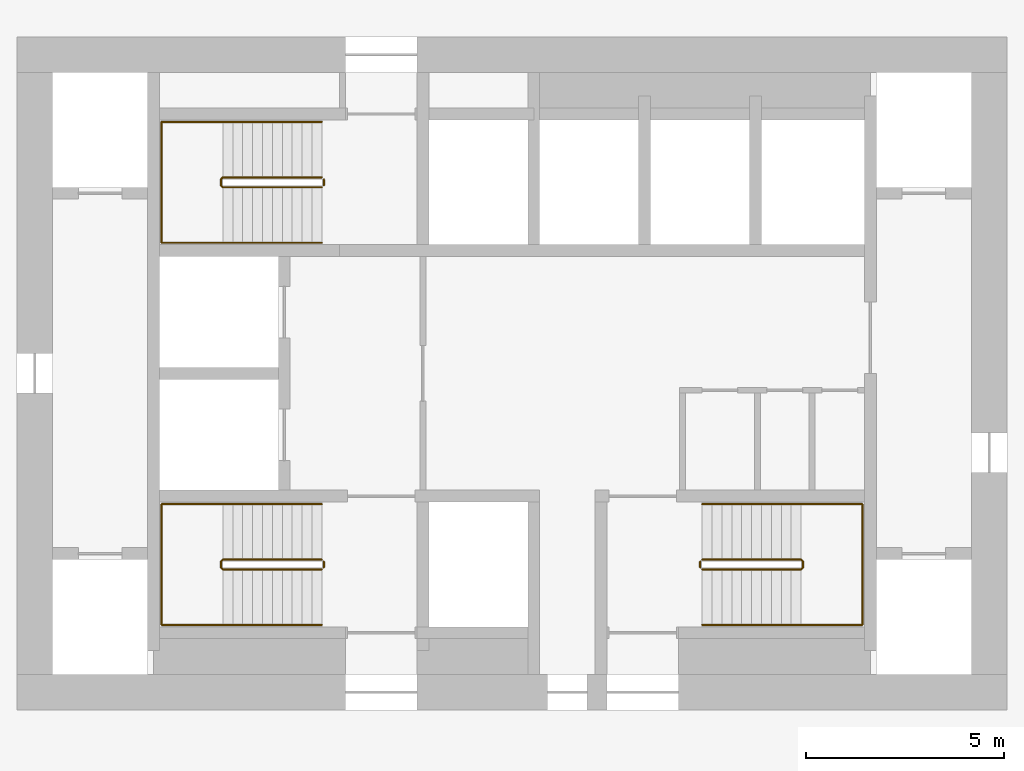
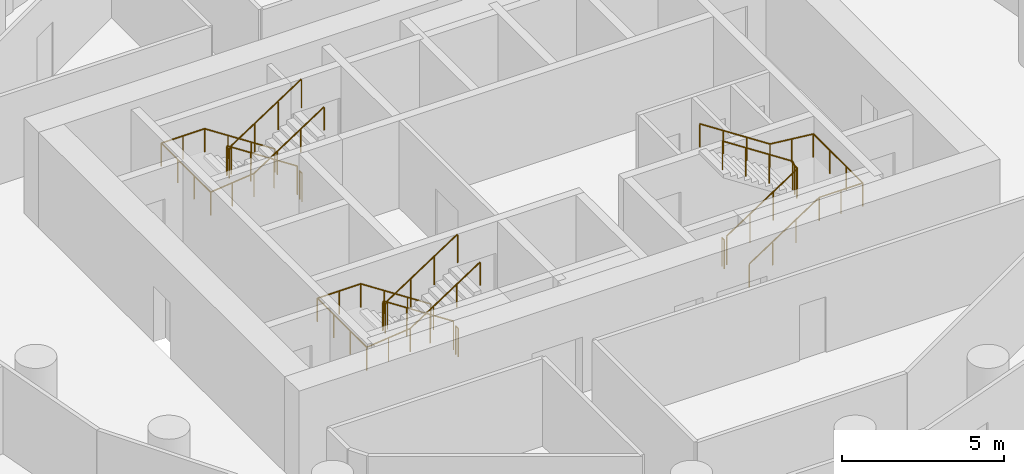
# One storey, part 9 of 9: 9 railings.
"""IFC4 building model written with IfcOpenShell, lengths in metres."""

import ifcopenshell
import ifcopenshell.guid

model = None  # the IFC model being written
_history = None  # IfcOwnerHistory: only IFC2X3 demands one
_inside = {}  # id of a spatial element -> (the spatial element, [elements in it])
_under = {}  # id of a project, library or spatial element -> (it, [spatial elements below it])
_declared = {}  # id of a project -> (the project, [libraries it declares])
_typed = {}  # id of a type object -> (the type object, [elements of that type])
_made_of = {}  # id of a material, layer set ... -> (it, [elements and type objects made of it])


def new_model(schema):
    """Start an empty IFC model of exactly this schema.

    Asked for "IFC4X3", IfcOpenShell would pick the latest addendum, in which some entities
    have other attributes; the version numbers below select the first issue.
    IFC2X3 requires an IfcOwnerHistory on every rooted entity: one is made here for all.
    """
    global model, _history
    if schema == "IFC4X3":
        model = ifcopenshell.file(schema_version=(4, 3, 0, 0))
    else:
        model = ifcopenshell.file(schema=schema)
    _inside.clear()
    _under.clear()
    _declared.clear()
    _typed.clear()
    _made_of.clear()
    _history = None
    if model.schema == "IFC2X3":
        org = make("IfcOrganization", Name="unknown")
        user = make(
            "IfcPersonAndOrganization",
            ThePerson=make("IfcPerson", FamilyName="unknown"),
            TheOrganization=org,
        )
        app = make(
            "IfcApplication",
            ApplicationDeveloper=org,
            Version="unknown",
            ApplicationFullName="unknown",
            ApplicationIdentifier="unknown",
        )
        _history = make(
            "IfcOwnerHistory",
            OwningUser=user,
            OwningApplication=app,
            ChangeAction="ADDED",
            CreationDate=0,
        )
    return model


def make(cls, **values):
    """One entity of the class cls with the attributes given. An attribute that is None is left unset."""
    return model.create_entity(
        cls, **{name: value for name, value in values.items() if value is not None}
    )


def rooted(cls, **values):
    """An entity with a GlobalId (a new one), such as an element, a storey or a relation."""
    return make(cls, GlobalId=ifcopenshell.guid.new(), OwnerHistory=_history, **values)


def si_unit(unit_type, name, prefix=None):
    """IfcSIUnit, for example si_unit("LENGTHUNIT", "METRE", prefix="MILLI")."""
    return make("IfcSIUnit", UnitType=unit_type, Prefix=prefix, Name=name)


def assignment(units):
    """IfcUnitAssignment: the units of a project."""
    return None if units is None else make("IfcUnitAssignment", Units=units)


def point(xyz):
    """IfcCartesianPoint."""
    return None if xyz is None else make("IfcCartesianPoint", Coordinates=xyz)


def direction(xyz):
    """IfcDirection."""
    return None if xyz is None else make("IfcDirection", DirectionRatios=xyz)


def frame(location, z_axis=None, x_axis=None):
    """IfcAxis2Placement3D, a coordinate frame: its origin and axes. An axis left out is left unset."""
    return make(
        "IfcAxis2Placement3D",
        Location=point(location),
        Axis=direction(z_axis),
        RefDirection=direction(x_axis),
    )


def frame_2d(location, x_axis=None):
    """IfcAxis2Placement2D, a coordinate frame in the plane: its origin and x axis."""
    return make(
        "IfcAxis2Placement2D", Location=point(location), RefDirection=direction(x_axis)
    )


def origin():
    """The frame at (0, 0, 0) with its axes left unset."""
    return frame((0.0, 0.0, 0.0))


def origin_2d():
    """The frame at (0, 0) in the plane with its x axis left unset."""
    return frame_2d((0.0, 0.0))


def place(relative_to, where):
    """IfcLocalPlacement: puts the frame where relative to a parent placement (None: the world)."""
    return make(
        "IfcLocalPlacement", PlacementRelTo=relative_to, RelativePlacement=where
    )


def context(
    kind, dimensions, precision=None, world=None, true_north=None, identifier=None
):
    """IfcGeometricRepresentationContext, for example the 3D "Model" context."""
    return make(
        "IfcGeometricRepresentationContext",
        ContextIdentifier=identifier,
        ContextType=kind,
        CoordinateSpaceDimension=dimensions,
        Precision=precision,
        WorldCoordinateSystem=world,
        TrueNorth=true_north,
    )


def subcontext(parent, identifier, kind, view, scale=None):
    """IfcGeometricRepresentationSubContext, for example "Body" below "Model"."""
    return make(
        "IfcGeometricRepresentationSubContext",
        ContextIdentifier=identifier,
        ContextType=kind,
        ParentContext=parent,
        TargetScale=scale,
        TargetView=view,
    )


def project(units=None, contexts=None):
    """IfcProject with its units and contexts."""
    return rooted(
        "IfcProject",
        Name="project",
        RepresentationContexts=contexts,
        UnitsInContext=assignment(units),
    )


def spatial(cls, under=None, at=None, **own):
    """A site, building, storey or space (cls), placed at a placement, below another one or the project."""
    s = rooted(cls, ObjectPlacement=at, **own)
    if under is not None:
        _under.setdefault(under.id(), (under, []))[1].append(s)
    return s


def profile(cls, at=None, kind="AREA", **sizes):
    """A parametric profile (cls). Its sizes go by their IFC names, for example OverallWidth=200.0."""
    return make(cls, ProfileType=kind, Position=at, **sizes)


def circle(**sizes):
    """IfcCircleProfileDef."""
    return profile("IfcCircleProfileDef", **sizes)


def extrude(swept, where, along, depth):
    """IfcExtrudedAreaSolid: the profile swept, set in the frame where, extruded along a direction by depth."""
    return make(
        "IfcExtrudedAreaSolid",
        SweptArea=swept,
        Position=where,
        ExtrudedDirection=direction(along),
        Depth=depth,
    )


def shape(context_of_items, identifier, shape_type, items):
    """IfcShapeRepresentation: the items that make up one representation, for example the "Body"."""
    return make(
        "IfcShapeRepresentation",
        ContextOfItems=context_of_items,
        RepresentationIdentifier=identifier,
        RepresentationType=shape_type,
        Items=items,
    )


def material(Name=None, Category=None):
    """IfcMaterial."""
    return make("IfcMaterial", Name=Name, Category=Category)


def made_of(thing, what):
    """Note that an element or type object is made of a material, layer set ...; save() writes the relation."""
    if what is not None:
        _made_of.setdefault(what.id(), (what, []))[1].append(thing)
    return thing


def type_object(cls, material=None, **own):
    """A type object (cls), such as IfcWallType, which elements share."""
    return made_of(rooted(cls, **own), material)


def element(
    cls,
    number,
    at=None,
    inside=None,
    cuts=None,
    type_object=None,
    material=None,
    context=None,
    identifier="Body",
    shape_type=None,
    held_by="IfcProductDefinitionShape",
    body=None,
    shapes=None,
    **own,
):
    """One element of the class cls, such as IfcWall. Its Tag is "e" and its number.

    at: its placement. inside: the storey or other place that contains it. cuts: it is an
    opening in that element (IfcRelVoidsElement). A single representation is given by context,
    identifier, shape_type and body (its items); several are given by shapes. held_by: the class
    of the entity that holds the representations. save() writes the other relations.
    """
    e = rooted(cls, Tag="e%d" % number, ObjectPlacement=at, **own)
    if body is not None:
        shapes = [shape(context, identifier, shape_type, body)]
    if shapes is not None:
        e.Representation = make(held_by, Representations=shapes)
    if inside is not None:
        _inside.setdefault(inside.id(), (inside, []))[1].append(e)
    if cuts is not None:
        rooted(
            "IfcRelVoidsElement", RelatingBuildingElement=cuts, RelatedOpeningElement=e
        )
    if type_object is not None:
        _typed.setdefault(type_object.id(), (type_object, []))[1].append(e)
    return made_of(e, material)


def aggregate(whole, parts):
    """IfcRelAggregates: a whole, such as a stair, and the parts it consists of."""
    return rooted("IfcRelAggregates", RelatingObject=whole, RelatedObjects=parts)


def save(model, path):
    """Write the relations noted so far, then the file.

    IfcRelAggregates (storeys below a building ...), IfcRelContainedInSpatialStructure (elements
    in a storey), IfcRelDefinesByType, IfcRelAssociatesMaterial and IfcRelDeclares: one each for
    every whole, place, type object, material and project.
    """
    for whole, parts in _under.values():
        aggregate(whole, parts)
    for where, things in _inside.values():
        rooted(
            "IfcRelContainedInSpatialStructure",
            RelatedElements=things,
            RelatingStructure=where,
        )
    for kind, things in _typed.values():
        rooted("IfcRelDefinesByType", RelatedObjects=things, RelatingType=kind)
    for what, things in _made_of.values():
        rooted("IfcRelAssociatesMaterial", RelatedObjects=things, RelatingMaterial=what)
    for by, libraries in _declared.values():
        rooted("IfcRelDeclares", RelatingContext=by, RelatedDefinitions=libraries)
    model.write(path)


model = new_model("IFC4")

# Units and contexts
model_context = context("Model", 3, precision=1e-05, world=origin(), true_north=direction((0.0, 1.0)))
body_context = subcontext(model_context, "Body", "Model", "MODEL_VIEW")
ifc_project = project(units=[si_unit("LENGTHUNIT", "METRE"), si_unit("AREAUNIT", "SQUARE_METRE"), si_unit("VOLUMEUNIT", "CUBIC_METRE"), si_unit("PLANEANGLEUNIT", "RADIAN"), si_unit("MASSUNIT", "GRAM", prefix="KILO")], contexts=[model_context])

# Site, building, storey
site_placement = place(None, origin())
site = spatial("IfcSite", under=ifc_project, at=site_placement, CompositionType="ELEMENT")
building_placement = place(site_placement, origin())
building = spatial("IfcBuilding", under=site, at=building_placement, Name="Tracery Tower", CompositionType="ELEMENT")
storey_placement = place(building_placement, frame((0.0, 0.0, 151.199951171875)))
storey = spatial("IfcBuildingStorey", under=building, at=storey_placement, Name="L38", CompositionType="ELEMENT", Elevation=151.199951171875)

# Railings
ifc_material_1 = material(Name="Stainless steel and laminated glass", Category="steel")
railing_type_1 = type_object("IfcRailingType", Name="Stair guard 1100", PredefinedType="GUARDRAIL", material=ifc_material_1)
railing_1_placement = place(storey_placement, frame((-4.800048828125, -4.699951171875, 0.16357421875)))
element("IfcRailing", 1, at=railing_1_placement, inside=storey, type_object=railing_type_1, Name="L38 stair ST1 guard 1", PredefinedType="GUARDRAIL", context=body_context, shape_type="SweptSolid", body=[
    extrude(circle(Radius=0.02392578125, at=origin_2d()), frame((0.0, 0.0, 1.076171875), z_axis=(-0.83668449804, 0.0, 0.54768517484), x_axis=(0.0, -1.0, 0.0)), (0.0, 0.0, 1.0), 2.988037109375),
    extrude(circle(Radius=0.02392578125, at=origin_2d()), frame((-2.5, 0.0, 2.71240234375), z_axis=(-0.707106781187, -0.707106781187, 0.0), x_axis=(0.707106781187, -0.707106781187, 0.0)), (0.0, 0.0, 1.0), 0.07080078125),
    extrude(circle(Radius=0.02392578125, at=origin_2d()), frame((-2.550048828125, -0.050048828125, 2.71240234375), z_axis=(0.0, -1.0, 0.0), x_axis=(1.0, 0.0, 0.0)), (0.0, 0.0, 1.0), 0.14990234375),
    extrude(circle(Radius=0.02392578125, at=origin_2d()), frame((-2.550048828125, -0.199951171875, 2.71240234375), z_axis=(0.280808744504, -0.280808744504, 0.917765164963), x_axis=(0.707106781187, 0.707106781187, 0.0)), (0.0, 0.0, 1.0), 0.17822265625),
    extrude(circle(Radius=0.02392578125, at=origin_2d()), frame((-2.5, -0.25, 2.8759765625), z_axis=(0.83668449804, 0.0, 0.54768517484), x_axis=(0.0, 1.0, 0.0)), (0.0, 0.0, 1.0), 2.988037109375),
    extrude(circle(Radius=0.02099609375, at=origin_2d()), origin(), (0.0, 0.0, 1.0), 1.052001953125),
    extrude(circle(Radius=0.02099609375, at=origin_2d()), frame((-0.833251953125, 0.0, 0.54541015625)), (0.0, 0.0, 1.0), 1.052001953125),
    extrude(circle(Radius=0.02099609375, at=origin_2d()), frame((-1.666748046875, 0.0, 1.091064453125)), (0.0, 0.0, 1.0), 1.052001953125),
    extrude(circle(Radius=0.02099609375, at=origin_2d()), frame((-2.5, 0.0, 1.636474609375)), (0.0, 0.0, 1.0), 1.052001953125),
    extrude(circle(Radius=0.02099609375, at=origin_2d()), frame((-2.550048828125, -0.050048828125, 1.636474609375)), (0.0, 0.0, 1.0), 1.052001953125),
    extrude(circle(Radius=0.02099609375, at=origin_2d()), frame((-2.550048828125, -0.199951171875, 1.636474609375)), (0.0, 0.0, 1.0), 1.052001953125),
    extrude(circle(Radius=0.02099609375, at=origin_2d()), frame((-2.5, -0.25, 1.800048828125)), (0.0, 0.0, 1.0), 1.052001953125),
    extrude(circle(Radius=0.02099609375, at=origin_2d()), frame((-1.666748046875, -0.25, 2.345458984375)), (0.0, 0.0, 1.0), 1.052001953125),
    extrude(circle(Radius=0.02099609375, at=origin_2d()), frame((-0.833251953125, -0.25, 2.89111328125)), (0.0, 0.0, 1.0), 1.052001953125),
    extrude(circle(Radius=0.02099609375, at=origin_2d()), frame((0.0, -0.25, 3.4365234375)), (0.0, 0.0, 1.0), 1.052001953125),
])
railing_2_placement = place(storey_placement, frame((-4.75, -4.75, 0.0)))
element("IfcRailing", 2, at=railing_2_placement, inside=storey, type_object=railing_type_1, Name="L38 stair ST1 guard 2", PredefinedType="GUARDRAIL", context=body_context, shape_type="SweptSolid", body=[
    extrude(circle(Radius=0.02392578125, at=origin_2d()), frame((0.0, 0.0, 1.076171875), z_axis=(0.0, -1.0, 0.0), x_axis=(1.0, 0.0, 0.0)), (0.0, 0.0, 1.0), 0.14990234375),
    extrude(circle(Radius=0.02099609375, at=origin_2d()), origin(), (0.0, 0.0, 1.0), 1.052001953125),
    extrude(circle(Radius=0.02099609375, at=origin_2d()), frame((0.0, -0.14990234375, 0.0)), (0.0, 0.0, 1.0), 1.052001953125),
])
railing_3_placement = place(storey_placement, frame((-4.800048828125, 4.949951171875, 0.16357421875)))
element("IfcRailing", 3, at=railing_3_placement, inside=storey, type_object=railing_type_1, Name="L38 stair ST3 guard 1", PredefinedType="GUARDRAIL", context=body_context, shape_type="SweptSolid", body=[
    extrude(circle(Radius=0.02392578125, at=origin_2d()), frame((0.0, 0.0, 1.076171875), z_axis=(-0.83668449804, 0.0, 0.54768517484), x_axis=(0.0, -1.0, 0.0)), (0.0, 0.0, 1.0), 2.988037109375),
    extrude(circle(Radius=0.02392578125, at=origin_2d()), frame((-2.5, 0.0, 2.71240234375), z_axis=(-0.707106781187, -0.707106781187, 0.0), x_axis=(0.707106781187, -0.707106781187, 0.0)), (0.0, 0.0, 1.0), 0.07080078125),
    extrude(circle(Radius=0.02392578125, at=origin_2d()), frame((-2.550048828125, -0.050048828125, 2.71240234375), z_axis=(0.0, -1.0, 0.0), x_axis=(1.0, 0.0, 0.0)), (0.0, 0.0, 1.0), 0.14990234375),
    extrude(circle(Radius=0.02392578125, at=origin_2d()), frame((-2.550048828125, -0.199951171875, 2.71240234375), z_axis=(0.280808744504, -0.280808744504, 0.917765164963), x_axis=(0.707106781187, 0.707106781187, 0.0)), (0.0, 0.0, 1.0), 0.17822265625),
    extrude(circle(Radius=0.02392578125, at=origin_2d()), frame((-2.5, -0.25, 2.8759765625), z_axis=(0.83668449804, 0.0, 0.54768517484), x_axis=(0.0, 1.0, 0.0)), (0.0, 0.0, 1.0), 2.988037109375),
    extrude(circle(Radius=0.02099609375, at=origin_2d()), origin(), (0.0, 0.0, 1.0), 1.052001953125),
    extrude(circle(Radius=0.02099609375, at=origin_2d()), frame((-0.833251953125, 0.0, 0.54541015625)), (0.0, 0.0, 1.0), 1.052001953125),
    extrude(circle(Radius=0.02099609375, at=origin_2d()), frame((-1.666748046875, 0.0, 1.091064453125)), (0.0, 0.0, 1.0), 1.052001953125),
    extrude(circle(Radius=0.02099609375, at=origin_2d()), frame((-2.5, 0.0, 1.636474609375)), (0.0, 0.0, 1.0), 1.052001953125),
    extrude(circle(Radius=0.02099609375, at=origin_2d()), frame((-2.550048828125, -0.050048828125, 1.636474609375)), (0.0, 0.0, 1.0), 1.052001953125),
    extrude(circle(Radius=0.02099609375, at=origin_2d()), frame((-2.550048828125, -0.199951171875, 1.636474609375)), (0.0, 0.0, 1.0), 1.052001953125),
    extrude(circle(Radius=0.02099609375, at=origin_2d()), frame((-2.5, -0.25, 1.800048828125)), (0.0, 0.0, 1.0), 1.052001953125),
    extrude(circle(Radius=0.02099609375, at=origin_2d()), frame((-1.666748046875, -0.25, 2.345458984375)), (0.0, 0.0, 1.0), 1.052001953125),
    extrude(circle(Radius=0.02099609375, at=origin_2d()), frame((-0.833251953125, -0.25, 2.89111328125)), (0.0, 0.0, 1.0), 1.052001953125),
    extrude(circle(Radius=0.02099609375, at=origin_2d()), frame((0.0, -0.25, 3.4365234375)), (0.0, 0.0, 1.0), 1.052001953125),
])
railing_4_placement = place(storey_placement, frame((-4.75, 4.89990234375, 0.0)))
element("IfcRailing", 4, at=railing_4_placement, inside=storey, type_object=railing_type_1, Name="L38 stair ST3 guard 2", PredefinedType="GUARDRAIL", context=body_context, shape_type="SweptSolid", body=[
    extrude(circle(Radius=0.02392578125, at=origin_2d()), frame((0.0, 0.0, 1.076171875), z_axis=(0.0, -1.0, 0.0), x_axis=(1.0, 0.0, 0.0)), (0.0, 0.0, 1.0), 0.14990234375),
    extrude(circle(Radius=0.02099609375, at=origin_2d()), origin(), (0.0, 0.0, 1.0), 1.052001953125),
    extrude(circle(Radius=0.02099609375, at=origin_2d()), frame((0.0, -0.14990234375, 0.0)), (0.0, 0.0, 1.0), 1.052001953125),
])
railing_5_placement = place(storey_placement, frame((4.800048828125, -4.949951171875, 0.16357421875)))
element("IfcRailing", 5, at=railing_5_placement, inside=storey, type_object=railing_type_1, Name="L38 stair ST2 guard 1", PredefinedType="GUARDRAIL", context=body_context, shape_type="SweptSolid", body=[
    extrude(circle(Radius=0.02392578125, at=origin_2d()), frame((0.0, 0.0, 1.076171875), z_axis=(0.83668449804, 0.0, 0.54768517484), x_axis=(0.0, 1.0, 0.0)), (0.0, 0.0, 1.0), 2.988037109375),
    extrude(circle(Radius=0.02392578125, at=origin_2d()), frame((2.5, 0.0, 2.71240234375), z_axis=(0.707106781187, 0.707106781187, 0.0), x_axis=(-0.707106781187, 0.707106781187, 0.0)), (0.0, 0.0, 1.0), 0.07080078125),
    extrude(circle(Radius=0.02392578125, at=origin_2d()), frame((2.550048828125, 0.050048828125, 2.71240234375), z_axis=(0.0, 1.0, 0.0), x_axis=(-1.0, 0.0, 0.0)), (0.0, 0.0, 1.0), 0.14990234375),
    extrude(circle(Radius=0.02392578125, at=origin_2d()), frame((2.550048828125, 0.199951171875, 2.71240234375), z_axis=(-0.280808744504, 0.280808744504, 0.917765164963), x_axis=(-0.707106781187, -0.707106781187, 0.0)), (0.0, 0.0, 1.0), 0.17822265625),
    extrude(circle(Radius=0.02392578125, at=origin_2d()), frame((2.5, 0.25, 2.8759765625), z_axis=(-0.83668449804, 0.0, 0.54768517484), x_axis=(0.0, -1.0, 0.0)), (0.0, 0.0, 1.0), 2.988037109375),
    extrude(circle(Radius=0.02099609375, at=origin_2d()), origin(), (0.0, 0.0, 1.0), 1.052001953125),
    extrude(circle(Radius=0.02099609375, at=origin_2d()), frame((0.833251953125, 0.0, 0.54541015625)), (0.0, 0.0, 1.0), 1.052001953125),
    extrude(circle(Radius=0.02099609375, at=origin_2d()), frame((1.666748046875, 0.0, 1.091064453125)), (0.0, 0.0, 1.0), 1.052001953125),
    extrude(circle(Radius=0.02099609375, at=origin_2d()), frame((2.5, 0.0, 1.636474609375)), (0.0, 0.0, 1.0), 1.052001953125),
    extrude(circle(Radius=0.02099609375, at=origin_2d()), frame((2.550048828125, 0.050048828125, 1.636474609375)), (0.0, 0.0, 1.0), 1.052001953125),
    extrude(circle(Radius=0.02099609375, at=origin_2d()), frame((2.550048828125, 0.199951171875, 1.636474609375)), (0.0, 0.0, 1.0), 1.052001953125),
    extrude(circle(Radius=0.02099609375, at=origin_2d()), frame((2.5, 0.25, 1.800048828125)), (0.0, 0.0, 1.0), 1.052001953125),
    extrude(circle(Radius=0.02099609375, at=origin_2d()), frame((1.666748046875, 0.25, 2.345458984375)), (0.0, 0.0, 1.0), 1.052001953125),
    extrude(circle(Radius=0.02099609375, at=origin_2d()), frame((0.833251953125, 0.25, 2.89111328125)), (0.0, 0.0, 1.0), 1.052001953125),
    extrude(circle(Radius=0.02099609375, at=origin_2d()), frame((0.0, 0.25, 3.4365234375)), (0.0, 0.0, 1.0), 1.052001953125),
])
railing_6_placement = place(storey_placement, frame((4.75, -4.89990234375, 0.0)))
element("IfcRailing", 6, at=railing_6_placement, inside=storey, type_object=railing_type_1, Name="L38 stair ST2 guard 2", PredefinedType="GUARDRAIL", context=body_context, shape_type="SweptSolid", body=[
    extrude(circle(Radius=0.02392578125, at=origin_2d()), frame((0.0, 0.0, 1.076171875), z_axis=(0.0, 1.0, 0.0), x_axis=(-1.0, 0.0, 0.0)), (0.0, 0.0, 1.0), 0.14990234375),
    extrude(circle(Radius=0.02099609375, at=origin_2d()), origin(), (0.0, 0.0, 1.0), 1.052001953125),
    extrude(circle(Radius=0.02099609375, at=origin_2d()), frame((0.0, 0.14990234375, 0.0)), (0.0, 0.0, 1.0), 1.052001953125),
])
ifc_material_2 = material(Name="Stainless steel and laminated glass", Category="steel")
railing_type_2 = type_object("IfcRailingType", Name="Stair handrail 900", PredefinedType="HANDRAIL", material=ifc_material_2)
railing_7_placement = place(storey_placement, frame((-4.800048828125, -3.300048828125, 0.16357421875)))
element("IfcRailing", 7, at=railing_7_placement, inside=storey, type_object=railing_type_2, Name="L38 stair ST1 handrail 1", PredefinedType="HANDRAIL", context=body_context, shape_type="SweptSolid", body=[
    extrude(circle(Radius=0.02392578125, at=origin_2d()), frame((0.0, 0.0, 0.8759765625), z_axis=(-0.83668449804, 0.0, 0.54768517484), x_axis=(0.0, -1.0, 0.0)), (0.0, 0.0, 1.0), 2.988037109375),
    extrude(circle(Radius=0.02392578125, at=origin_2d()), frame((-2.5, 0.0, 2.51220703125), z_axis=(-1.0, 0.0, 0.0), x_axis=(0.0, -1.0, 0.0)), (0.0, 0.0, 1.0), 1.550048828125),
    extrude(circle(Radius=0.02392578125, at=origin_2d()), frame((-4.050048828125, 0.0, 2.51220703125), z_axis=(0.0, -1.0, 0.0), x_axis=(1.0, 0.0, 0.0)), (0.0, 0.0, 1.0), 3.050048828125),
    extrude(circle(Radius=0.02392578125, at=origin_2d()), frame((-4.050048828125, -3.050048828125, 2.51220703125), z_axis=(0.994477953863, 0.0, 0.104945696817), x_axis=(0.0, 1.0, 0.0)), (0.0, 0.0, 1.0), 1.55859375),
    extrude(circle(Radius=0.02392578125, at=origin_2d()), frame((-2.5, -3.050048828125, 2.67578125), z_axis=(0.83668449804, 0.0, 0.54768517484), x_axis=(0.0, 1.0, 0.0)), (0.0, 0.0, 1.0), 2.988037109375),
    extrude(circle(Radius=0.02099609375, at=origin_2d()), origin(), (0.0, 0.0, 1.0), 0.851806640625),
    extrude(circle(Radius=0.02099609375, at=origin_2d()), frame((-0.833251953125, 0.0, 0.54541015625)), (0.0, 0.0, 1.0), 0.851806640625),
    extrude(circle(Radius=0.02099609375, at=origin_2d()), frame((-1.666748046875, 0.0, 1.091064453125)), (0.0, 0.0, 1.0), 0.851806640625),
    extrude(circle(Radius=0.02099609375, at=origin_2d()), frame((-2.5, 0.0, 1.636474609375)), (0.0, 0.0, 1.0), 0.851806640625),
    extrude(circle(Radius=0.02099609375, at=origin_2d()), frame((-3.27490234375, 0.0, 1.636474609375)), (0.0, 0.0, 1.0), 0.851806640625),
    extrude(circle(Radius=0.02099609375, at=origin_2d()), frame((-4.050048828125, 0.0, 1.636474609375)), (0.0, 0.0, 1.0), 0.851806640625),
    extrude(circle(Radius=0.02099609375, at=origin_2d()), frame((-4.050048828125, -1.0166015625, 1.636474609375)), (0.0, 0.0, 1.0), 0.851806640625),
    extrude(circle(Radius=0.02099609375, at=origin_2d()), frame((-4.050048828125, -2.033447265625, 1.636474609375)), (0.0, 0.0, 1.0), 0.851806640625),
    extrude(circle(Radius=0.02099609375, at=origin_2d()), frame((-4.050048828125, -3.050048828125, 1.636474609375)), (0.0, 0.0, 1.0), 0.851806640625),
    extrude(circle(Radius=0.02099609375, at=origin_2d()), frame((-3.27490234375, -3.050048828125, 1.71826171875)), (0.0, 0.0, 1.0), 0.851806640625),
    extrude(circle(Radius=0.02099609375, at=origin_2d()), frame((-2.5, -3.050048828125, 1.800048828125)), (0.0, 0.0, 1.0), 0.851806640625),
    extrude(circle(Radius=0.02099609375, at=origin_2d()), frame((-1.666748046875, -3.050048828125, 2.345458984375)), (0.0, 0.0, 1.0), 0.851806640625),
    extrude(circle(Radius=0.02099609375, at=origin_2d()), frame((-0.833251953125, -3.050048828125, 2.89111328125)), (0.0, 0.0, 1.0), 0.851806640625),
    extrude(circle(Radius=0.02099609375, at=origin_2d()), frame((0.0, -3.050048828125, 3.4365234375)), (0.0, 0.0, 1.0), 0.851806640625),
])
railing_8_placement = place(storey_placement, frame((-4.800048828125, 6.35009765625, 0.16357421875)))
element("IfcRailing", 8, at=railing_8_placement, inside=storey, type_object=railing_type_2, Name="L38 stair ST3 handrail 1", PredefinedType="HANDRAIL", context=body_context, shape_type="SweptSolid", body=[
    extrude(circle(Radius=0.02392578125, at=origin_2d()), frame((0.0, 0.0, 0.8759765625), z_axis=(-0.83668449804, 0.0, 0.54768517484), x_axis=(0.0, -1.0, 0.0)), (0.0, 0.0, 1.0), 2.988037109375),
    extrude(circle(Radius=0.02392578125, at=origin_2d()), frame((-2.5, 0.0, 2.51220703125), z_axis=(-1.0, 0.0, 0.0), x_axis=(0.0, -1.0, 0.0)), (0.0, 0.0, 1.0), 1.550048828125),
    extrude(circle(Radius=0.02392578125, at=origin_2d()), frame((-4.050048828125, 0.0, 2.51220703125), z_axis=(0.0, -1.0, 0.0), x_axis=(1.0, 0.0, 0.0)), (0.0, 0.0, 1.0), 3.050048828125),
    extrude(circle(Radius=0.02392578125, at=origin_2d()), frame((-4.050048828125, -3.050048828125, 2.51220703125), z_axis=(0.994477953863, 0.0, 0.104945696817), x_axis=(0.0, 1.0, 0.0)), (0.0, 0.0, 1.0), 1.55859375),
    extrude(circle(Radius=0.02392578125, at=origin_2d()), frame((-2.5, -3.050048828125, 2.67578125), z_axis=(0.83668449804, 0.0, 0.54768517484), x_axis=(0.0, 1.0, 0.0)), (0.0, 0.0, 1.0), 2.988037109375),
    extrude(circle(Radius=0.02099609375, at=origin_2d()), origin(), (0.0, 0.0, 1.0), 0.851806640625),
    extrude(circle(Radius=0.02099609375, at=origin_2d()), frame((-0.833251953125, 0.0, 0.54541015625)), (0.0, 0.0, 1.0), 0.851806640625),
    extrude(circle(Radius=0.02099609375, at=origin_2d()), frame((-1.666748046875, 0.0, 1.091064453125)), (0.0, 0.0, 1.0), 0.851806640625),
    extrude(circle(Radius=0.02099609375, at=origin_2d()), frame((-2.5, 0.0, 1.636474609375)), (0.0, 0.0, 1.0), 0.851806640625),
    extrude(circle(Radius=0.02099609375, at=origin_2d()), frame((-3.27490234375, 0.0, 1.636474609375)), (0.0, 0.0, 1.0), 0.851806640625),
    extrude(circle(Radius=0.02099609375, at=origin_2d()), frame((-4.050048828125, 0.0, 1.636474609375)), (0.0, 0.0, 1.0), 0.851806640625),
    extrude(circle(Radius=0.02099609375, at=origin_2d()), frame((-4.050048828125, -1.0166015625, 1.636474609375)), (0.0, 0.0, 1.0), 0.851806640625),
    extrude(circle(Radius=0.02099609375, at=origin_2d()), frame((-4.050048828125, -2.033447265625, 1.636474609375)), (0.0, 0.0, 1.0), 0.851806640625),
    extrude(circle(Radius=0.02099609375, at=origin_2d()), frame((-4.050048828125, -3.050048828125, 1.636474609375)), (0.0, 0.0, 1.0), 0.851806640625),
    extrude(circle(Radius=0.02099609375, at=origin_2d()), frame((-3.27490234375, -3.050048828125, 1.71826171875)), (0.0, 0.0, 1.0), 0.851806640625),
    extrude(circle(Radius=0.02099609375, at=origin_2d()), frame((-2.5, -3.050048828125, 1.800048828125)), (0.0, 0.0, 1.0), 0.851806640625),
    extrude(circle(Radius=0.02099609375, at=origin_2d()), frame((-1.666748046875, -3.050048828125, 2.345458984375)), (0.0, 0.0, 1.0), 0.851806640625),
    extrude(circle(Radius=0.02099609375, at=origin_2d()), frame((-0.833251953125, -3.050048828125, 2.89111328125)), (0.0, 0.0, 1.0), 0.851806640625),
    extrude(circle(Radius=0.02099609375, at=origin_2d()), frame((0.0, -3.050048828125, 3.4365234375)), (0.0, 0.0, 1.0), 0.851806640625),
])
railing_9_placement = place(storey_placement, frame((4.800048828125, -6.35009765625, 0.16357421875)))
element("IfcRailing", 9, at=railing_9_placement, inside=storey, type_object=railing_type_2, Name="L38 stair ST2 handrail 1", PredefinedType="HANDRAIL", context=body_context, shape_type="SweptSolid", body=[
    extrude(circle(Radius=0.02392578125, at=origin_2d()), frame((0.0, 0.0, 0.8759765625), z_axis=(0.83668449804, 0.0, 0.54768517484), x_axis=(0.0, 1.0, 0.0)), (0.0, 0.0, 1.0), 2.988037109375),
    extrude(circle(Radius=0.02392578125, at=origin_2d()), frame((2.5, 0.0, 2.51220703125), z_axis=(1.0, 0.0, 0.0), x_axis=(0.0, 1.0, 0.0)), (0.0, 0.0, 1.0), 1.550048828125),
    extrude(circle(Radius=0.02392578125, at=origin_2d()), frame((4.050048828125, 0.0, 2.51220703125), z_axis=(0.0, 1.0, 0.0), x_axis=(-1.0, 0.0, 0.0)), (0.0, 0.0, 1.0), 3.050048828125),
    extrude(circle(Radius=0.02392578125, at=origin_2d()), frame((4.050048828125, 3.050048828125, 2.51220703125), z_axis=(-0.994477953863, 0.0, 0.104945696817), x_axis=(0.0, -1.0, 0.0)), (0.0, 0.0, 1.0), 1.55859375),
    extrude(circle(Radius=0.02392578125, at=origin_2d()), frame((2.5, 3.050048828125, 2.67578125), z_axis=(-0.83668449804, 0.0, 0.54768517484), x_axis=(0.0, -1.0, 0.0)), (0.0, 0.0, 1.0), 2.988037109375),
    extrude(circle(Radius=0.02099609375, at=origin_2d()), origin(), (0.0, 0.0, 1.0), 0.851806640625),
    extrude(circle(Radius=0.02099609375, at=origin_2d()), frame((0.833251953125, 0.0, 0.54541015625)), (0.0, 0.0, 1.0), 0.851806640625),
    extrude(circle(Radius=0.02099609375, at=origin_2d()), frame((1.666748046875, 0.0, 1.091064453125)), (0.0, 0.0, 1.0), 0.851806640625),
    extrude(circle(Radius=0.02099609375, at=origin_2d()), frame((2.5, 0.0, 1.636474609375)), (0.0, 0.0, 1.0), 0.851806640625),
    extrude(circle(Radius=0.02099609375, at=origin_2d()), frame((3.27490234375, 0.0, 1.636474609375)), (0.0, 0.0, 1.0), 0.851806640625),
    extrude(circle(Radius=0.02099609375, at=origin_2d()), frame((4.050048828125, 0.0, 1.636474609375)), (0.0, 0.0, 1.0), 0.851806640625),
    extrude(circle(Radius=0.02099609375, at=origin_2d()), frame((4.050048828125, 1.0166015625, 1.636474609375)), (0.0, 0.0, 1.0), 0.851806640625),
    extrude(circle(Radius=0.02099609375, at=origin_2d()), frame((4.050048828125, 2.033447265625, 1.636474609375)), (0.0, 0.0, 1.0), 0.851806640625),
    extrude(circle(Radius=0.02099609375, at=origin_2d()), frame((4.050048828125, 3.050048828125, 1.636474609375)), (0.0, 0.0, 1.0), 0.851806640625),
    extrude(circle(Radius=0.02099609375, at=origin_2d()), frame((3.27490234375, 3.050048828125, 1.71826171875)), (0.0, 0.0, 1.0), 0.851806640625),
    extrude(circle(Radius=0.02099609375, at=origin_2d()), frame((2.5, 3.050048828125, 1.800048828125)), (0.0, 0.0, 1.0), 0.851806640625),
    extrude(circle(Radius=0.02099609375, at=origin_2d()), frame((1.666748046875, 3.050048828125, 2.345458984375)), (0.0, 0.0, 1.0), 0.851806640625),
    extrude(circle(Radius=0.02099609375, at=origin_2d()), frame((0.833251953125, 3.050048828125, 2.89111328125)), (0.0, 0.0, 1.0), 0.851806640625),
    extrude(circle(Radius=0.02099609375, at=origin_2d()), frame((0.0, 3.050048828125, 3.4365234375)), (0.0, 0.0, 1.0), 0.851806640625),
])

save(model, "model.ifc")
